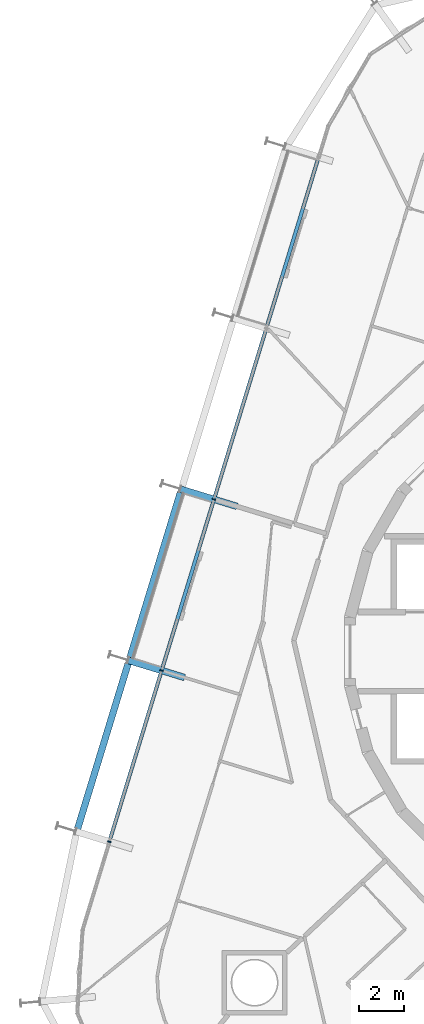
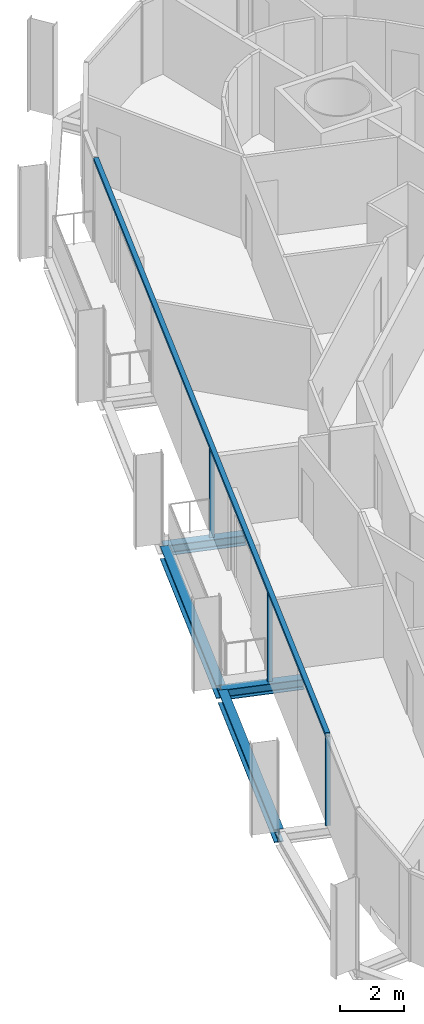
# One storey, part 5 of 18: 4 beams, 4 members, 2 elements without a shape of their own.
"""IFC4 building model written with IfcOpenShell, lengths in metres."""

from ifc_helpers import new_model, si_unit, direction, frame, origin, origin_2d, place, context, subcontext, project, spatial, rectangle, i_section, extrude, material, layer, layer_set, material_profile, profile_set, type_object, element, aggregate, save


model = new_model("IFC4")

# Units and contexts
model_context = context("Model", 3, precision=1e-05, world=origin(), true_north=direction((0.0, 1.0)))
body_context = subcontext(model_context, "Body", "Model", "MODEL_VIEW")
ifc_project = project(units=[si_unit("LENGTHUNIT", "METRE"), si_unit("AREAUNIT", "SQUARE_METRE"), si_unit("VOLUMEUNIT", "CUBIC_METRE"), si_unit("PLANEANGLEUNIT", "RADIAN"), si_unit("MASSUNIT", "GRAM", prefix="KILO")], contexts=[model_context])

# Site, building, storey
site_placement = place(None, origin())
site = spatial("IfcSite", under=ifc_project, at=site_placement, CompositionType="ELEMENT")
building_placement = place(site_placement, origin())
building = spatial("IfcBuilding", under=site, at=building_placement, Name="Spindle Arch Residences", CompositionType="ELEMENT")
storey_placement = place(building_placement, frame((0.0, 0.0, 134.39990234375)))
storey = spatial("IfcBuildingStorey", under=building, at=storey_placement, Name="L33", CompositionType="ELEMENT", Elevation=134.39990234375)

# Curtain wall, members
ifc_material_1 = material(Name="Aluminium bronze unitised frame with tinted glass", Category="aluminium")
ifc_layer_1 = layer(ifc_material_1, 0.159912109375)
ifc_layer_set_1 = layer_set([ifc_layer_1], Name="CW-C typical residential unitised wall")
curtain_wall_type_1 = type_object("IfcCurtainWallType", Name="CW-C typical residential unitised wall", PredefinedType="NOTDEFINED", material=ifc_layer_set_1)
curtain_wall_1_placement = place(storey_placement, origin())
curtain_wall_1 = element("IfcCurtainWall", 1, at=curtain_wall_1_placement, inside=storey, type_object=curtain_wall_type_1, Name="CW-C L33 run 4", PredefinedType="NOTDEFINED")
ifc_material_2 = material(Name="Aluminium bronze anodised mullion", Category="aluminium")
ifc_material_profile_1 = material_profile(ifc_material_2, rectangle(XDim=0.159912109375, YDim=0.06005859375, at=origin_2d()), Name="MU 60x160")
ifc_profile_set_1 = profile_set([ifc_material_profile_1], Name="Aluminium bronze anodised mullion")
member_type_1 = type_object("IfcMemberType", Name="Bronze mullion 60x160", PredefinedType="MULLION", material=ifc_profile_set_1)
member_1_placement = place(storey_placement, frame((-17.750732421875, 6.826171875, -0.3798828125), z_axis=(0.0, 0.0, 1.0), x_axis=(0.956304755963, -0.292371704723, 0.0)))
member_1 = element("IfcMember", 2, at=member_1_placement, type_object=member_type_1, Name="CW-C mullion 14", PredefinedType="MULLION", context=body_context, shape_type="SweptSolid", body=[
    extrude(rectangle(XDim=0.159912109375, YDim=0.06005859375, at=origin_2d()), origin(), (0.0, 0.0, 1.0), 3.3798828125),
])
member_2_placement = place(storey_placement, frame((-20.09814453125, -0.85205078125, -0.3798828125), z_axis=(0.0, 0.0, 1.0), x_axis=(0.956304755963, -0.292371704723, 0.0)))
member_2 = element("IfcMember", 3, at=member_2_placement, type_object=member_type_1, Name="CW-C mullion 15", PredefinedType="MULLION", context=body_context, shape_type="SweptSolid", body=[
    extrude(rectangle(XDim=0.159912109375, YDim=0.06005859375, at=origin_2d()), origin(), (0.0, 0.0, 1.0), 3.3798828125),
])

# Curtain wall, member
ifc_material_3 = material(Name="Aluminium bronze unitised frame with tinted glass", Category="aluminium")
ifc_layer_2 = layer(ifc_material_3, 0.159912109375)
ifc_layer_set_2 = layer_set([ifc_layer_2], Name="CW-D corner wall on the fillet arcs")
curtain_wall_type_2 = type_object("IfcCurtainWallType", Name="CW-D corner wall on the fillet arcs", PredefinedType="NOTDEFINED", material=ifc_layer_set_2)
curtain_wall_2_placement = place(storey_placement, origin())
curtain_wall_2 = element("IfcCurtainWall", 4, at=curtain_wall_2_placement, inside=storey, type_object=curtain_wall_type_2, Name="CW-D L33 run 5", PredefinedType="NOTDEFINED")
member_3_placement = place(storey_placement, frame((-22.44580078125, -8.5302734375, -0.3798828125), z_axis=(0.0, 0.0, 1.0), x_axis=(0.956304755963, -0.292371704723, 0.0)))
member_3 = element("IfcMember", 5, at=member_3_placement, type_object=member_type_1, Name="CW-D mullion 00", PredefinedType="MULLION", context=body_context, shape_type="SweptSolid", body=[
    extrude(rectangle(XDim=0.159912109375, YDim=0.06005859375, at=origin_2d()), origin(), (0.0, 0.0, 1.0), 3.3798828125),
])
aggregate(curtain_wall_2, [member_3])

# Member
ifc_material_4 = material(Name="Aluminium bronze anodised transom", Category="aluminium")
ifc_material_profile_2 = material_profile(ifc_material_4, rectangle(XDim=0.159912109375, YDim=0.1201171875, at=origin_2d()), Name="TR 120x160")
ifc_profile_set_2 = profile_set([ifc_material_profile_2], Name="Aluminium bronze anodised transom")
member_type_2 = type_object("IfcMemberType", Name="Bronze transom 120x160", PredefinedType="USERDEFINED", material=ifc_profile_set_2)
member_4_placement = place(storey_placement, frame((-13.064453125, 22.154296875, 3.06005859375), z_axis=(-0.292373902287, -0.956304084097, 0.0), x_axis=(0.956304084097, -0.292373902287, 0.0)))
member_4 = element("IfcMember", 6, at=member_4_placement, type_object=member_type_2, Name="CW-C transom 00", ObjectType="TRANSOM", PredefinedType="USERDEFINED", context=body_context, shape_type="SweptSolid", body=[
    extrude(rectangle(XDim=0.159912109375, YDim=0.1201171875, at=origin_2d()), origin(), (0.0, 0.0, 1.0), 32.056640625),
])

aggregate(curtain_wall_1, [member_4, member_1, member_2])

# Beams
ifc_material_5 = material(Name="Steel S460ML, intumescent coating R 120", Category="steel")
ifc_material_profile_3 = material_profile(ifc_material_5, i_section(OverallWidth=0.300048828125, OverallDepth=0.5, WebThickness=0.014404296875, FlangeThickness=0.028076171875, FilletRadius=0.027099609375, at=origin_2d()), Name="HEB 500")
ifc_profile_set_3 = profile_set([ifc_material_profile_3], Name="Steel S460ML, intumescent coating R 120")
beam_type_1 = type_object("IfcBeamType", Name="Exoskeleton edge beam HEB 500", PredefinedType="BEAM", material=ifc_profile_set_3)
beam_1_placement = place(storey_placement, frame((-19.251708984375, 7.1494140625, -0.6298828125), z_axis=(-0.292363030977, -0.95630740775, 0.0), x_axis=(0.95630740775, -0.292363030977, 0.0)))
element("IfcBeam", 7, at=beam_1_placement, inside=storey, type_object=beam_type_1, Name="Exoskeleton edge beam 15", PredefinedType="BEAM", context=body_context, shape_type="SweptSolid", body=[
    extrude(i_section(OverallWidth=0.300048828125, OverallDepth=0.5, WebThickness=0.014404296875, FlangeThickness=0.028076171875, FilletRadius=0.027099609375, at=origin_2d()), origin(), (0.0, 0.0, 1.0), 7.769287109375),
])
beam_2_placement = place(storey_placement, frame((-21.599365234375, -0.529052734375, -0.6298828125), z_axis=(-0.292371816855, -0.956304721681, 0.0), x_axis=(0.956304721681, -0.292371816855, 0.0)))
element("IfcBeam", 8, at=beam_2_placement, inside=storey, type_object=beam_type_1, Name="Exoskeleton edge beam 16", PredefinedType="BEAM", context=body_context, shape_type="SweptSolid", body=[
    extrude(i_section(OverallWidth=0.300048828125, OverallDepth=0.5, WebThickness=0.014404296875, FlangeThickness=0.028076171875, FilletRadius=0.027099609375, at=origin_2d()), origin(), (0.0, 0.0, 1.0), 7.76904296875),
])
ifc_material_6 = material(Name="Steel S460ML, intumescent coating R 120", Category="steel")
ifc_material_profile_4 = material_profile(ifc_material_6, i_section(OverallWidth=0.300048828125, OverallDepth=0.389892578125, WebThickness=0.010986328125, FlangeThickness=0.01904296875, FilletRadius=0.027099609375, at=origin_2d()), Name="HEA 400")
ifc_profile_set_4 = profile_set([ifc_material_profile_4], Name="Steel S460ML, intumescent coating R 120")
beam_type_2 = type_object("IfcBeamType", Name="Floor outrigger HEA 400", PredefinedType="BEAM", material=ifc_profile_set_4)
for number, where, z_axis, x_axis, name in (
    (9, (-19.252197265625, 7.285400390625, -0.574951171875), (0.956291475666, -0.292415139091, 0.0), (0.292415139091, 0.956291475666, 0.0), "Floor outrigger 15"),
    (10, (-21.599609375, -0.39306640625, -0.574951171875), (0.956291475666, -0.292415139091, 0.0), (0.292415139091, 0.956291475666, 0.0), "Floor outrigger 16"),
):
    element("IfcBeam", number, at=place(storey_placement, frame(where, z_axis=z_axis, x_axis=x_axis)), inside=storey, type_object=beam_type_2, Name=name, PredefinedType="BEAM", context=body_context, shape_type="SweptSolid", body=[
        extrude(i_section(OverallWidth=0.300048828125, OverallDepth=0.389892578125, WebThickness=0.010986328125, FlangeThickness=0.01904296875, FilletRadius=0.027099609375, at=origin_2d()), origin(), (0.0, 0.0, 1.0), 2.64990234375),
    ])

save(model, "model.ifc")
